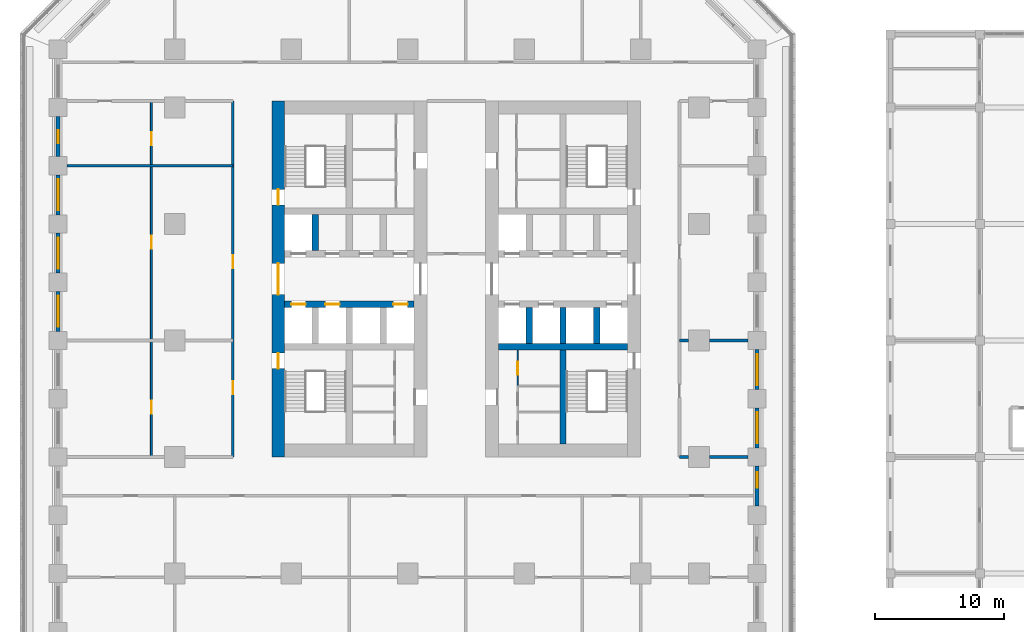
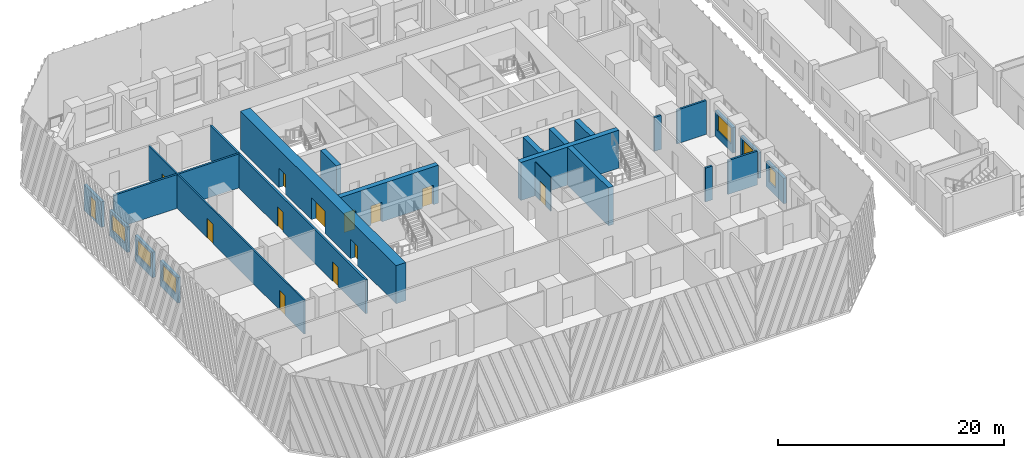
# One storey, part 13 of 31: 23 walls, 13 doors, 6 windows, 19 openings.
"""IFC4 building model written with IfcOpenShell, lengths in metres."""

from ifc_helpers import new_model, si_unit, direction, frame, frame_2d, origin, place, context, subcontext, project, spatial, rectangle, extrude, material, layer, layer_set, type_object, element, fill, save


model = new_model("IFC4")

# Units and contexts
model_context = context("Model", 3, precision=1e-05, world=origin(), true_north=direction((0.0, 1.0)))
body_context = subcontext(model_context, "Body", "Model", "MODEL_VIEW")
ifc_project = project(units=[si_unit("LENGTHUNIT", "METRE"), si_unit("AREAUNIT", "SQUARE_METRE"), si_unit("VOLUMEUNIT", "CUBIC_METRE"), si_unit("PLANEANGLEUNIT", "RADIAN"), si_unit("MASSUNIT", "GRAM", prefix="KILO")], contexts=[model_context])

# Site, building, storey
site_placement = place(None, origin())
site = spatial("IfcSite", under=ifc_project, at=site_placement, CompositionType="ELEMENT")
building_placement = place(site_placement, origin())
building = spatial("IfcBuilding", under=site, at=building_placement, Name="Corbel Stack Research Tower", CompositionType="ELEMENT")
storey_placement = place(building_placement, frame((0.0, 0.0, 15.39990234375)))
storey = spatial("IfcBuildingStorey", under=building, at=storey_placement, Name="L03", CompositionType="ELEMENT", Elevation=15.39990234375)

# Wall, openings, doors
ifc_material_1 = material(Name="Concrete C70/85", Category="concrete")
ifc_layer_1 = layer(ifc_material_1, 1.0)
ifc_layer_set_1 = layer_set([ifc_layer_1], Name="Concrete C70/85")
wall_type_1 = type_object("IfcWallType", Name="CW-1000-70", PredefinedType="SHEAR", material=ifc_layer_set_1)
wall_1_placement = place(storey_placement, frame((-10.0, -9.0, 0.0), z_axis=(0.0, 0.0, 1.0), x_axis=(0.0, 1.0, 0.0)))
wall_1 = element("IfcWall", 1, at=wall_1_placement, inside=storey, type_object=wall_type_1, Name="West core wall, west face L03", PredefinedType="SHEAR", context=body_context, shape_type="SweptSolid", body=[
    extrude(rectangle(XDim=27.5, YDim=1.0, at=frame_2d((13.75, 0.0))), origin(), (0.0, 0.0, 1.0), 4.10009765625),
])
opening_1_placement = place(wall_1_placement, frame((12.550048828125, 0.0, 0.0)))
opening_1 = element("IfcOpeningElement", 2, at=opening_1_placement, cuts=wall_1, Name="Opening CD-W-W", PredefinedType="OPENING", context=body_context, shape_type="SweptSolid", body=[
    extrude(rectangle(XDim=2.39990234375, YDim=2.39990234375, at=frame_2d((1.199951171875, 1.199951171875))), frame((0.0, 0.510009765625, 0.0), z_axis=(0.0, -1.0, 0.0), x_axis=(1.0, 0.0, 0.0)), (0.0, 0.0, 1.0), 1.02001953125),
])
opening_2_placement = place(wall_1_placement, frame((6.824951171875, 0.0, 0.0)))
opening_2 = element("IfcOpeningElement", 3, at=opening_2_placement, cuts=wall_1, Name="Opening SD-ST-W1", PredefinedType="OPENING", context=body_context, shape_type="SweptSolid", body=[
    extrude(rectangle(XDim=1.199951171875, YDim=2.10009765625, at=frame_2d((0.60009765625, 1.050048828125))), frame((0.0, 0.510009765625, 0.0), z_axis=(0.0, -1.0, 0.0), x_axis=(1.0, 0.0, 0.0)), (0.0, 0.0, 1.0), 1.02001953125),
])
opening_3_placement = place(wall_1_placement, frame((19.47509765625, 0.0, 0.0)))
opening_3 = element("IfcOpeningElement", 4, at=opening_3_placement, cuts=wall_1, Name="Opening SD-ST-W2", PredefinedType="OPENING", context=body_context, shape_type="SweptSolid", body=[
    extrude(rectangle(XDim=1.199951171875, YDim=2.10009765625, at=frame_2d((0.60009765625, 1.050048828125))), frame((0.0, 0.510009765625, 0.0), z_axis=(0.0, -1.0, 0.0), x_axis=(1.0, 0.0, 0.0)), (0.0, 0.0, 1.0), 1.02001953125),
])
ifc_material_2 = material(Name="Painted steel fire door", Category="steel")
door_type_1 = type_object("IfcDoorType", Name="Lobby door pair 2400 x 2400 FD30S", OperationType="DOUBLE_DOOR_DOUBLE_SWING", PredefinedType="DOOR", material=ifc_material_2)
door_1_placement = place(opening_1_placement, origin())
door_1 = element("IfcDoor", 5, at=door_1_placement, inside=storey, type_object=door_type_1, Name="Lift lobby door W core W", OperationType="DOUBLE_DOOR_DOUBLE_SWING", OverallHeight=2.39990234375, OverallWidth=2.39990234375, PredefinedType="DOOR", context=body_context, shape_type="SweptSolid", body=[
    extrude(rectangle(XDim=2.39990234375, YDim=2.39990234375, at=frame_2d((1.199951171875, 1.199951171875))), frame((0.0, 0.02490234375, 0.0), z_axis=(0.0, -1.0, 0.0), x_axis=(1.0, 0.0, 0.0)), (0.0, 0.0, 1.0), 0.050048828125),
])
fill(opening_1, door_1)
ifc_material_3 = material(Name="Painted steel fire door", Category="steel")
door_type_2 = type_object("IfcDoorType", Name="Stair door 1200 x 2100 FD90 left hand", OperationType="SINGLE_SWING_LEFT", PredefinedType="DOOR", material=ifc_material_3)
door_2_placement = place(opening_2_placement, origin())
door_2 = element("IfcDoor", 6, at=door_2_placement, inside=storey, type_object=door_type_2, Name="Stair door ST-W1", OperationType="SINGLE_SWING_LEFT", OverallHeight=2.10009765625, OverallWidth=1.199951171875, PredefinedType="DOOR", context=body_context, shape_type="SweptSolid", body=[
    extrude(rectangle(XDim=1.199951171875, YDim=2.10009765625, at=frame_2d((0.60009765625, 1.050048828125))), frame((0.0, 0.02490234375, 0.0), z_axis=(0.0, -1.0, 0.0), x_axis=(1.0, 0.0, 0.0)), (0.0, 0.0, 1.0), 0.050048828125),
])
fill(opening_2, door_2)
door_3_placement = place(opening_3_placement, origin())
door_3 = element("IfcDoor", 7, at=door_3_placement, inside=storey, type_object=door_type_2, Name="Stair door ST-W2", OperationType="SINGLE_SWING_LEFT", OverallHeight=2.10009765625, OverallWidth=1.199951171875, PredefinedType="DOOR", context=body_context, shape_type="SweptSolid", body=[
    extrude(rectangle(XDim=1.199951171875, YDim=2.10009765625, at=frame_2d((0.60009765625, 1.050048828125))), frame((0.0, 0.02490234375, 0.0), z_axis=(0.0, -1.0, 0.0), x_axis=(1.0, 0.0, 0.0)), (0.0, 0.0, 1.0), 0.050048828125),
])
fill(opening_3, door_3)

ifc_material_4 = material(Name="Concrete C70/85", Category="concrete")
ifc_layer_2 = layer(ifc_material_4, 0.5)
ifc_layer_set_2 = layer_set([ifc_layer_2], Name="Concrete C70/85")
wall_type_2 = type_object("IfcWallType", Name="CW-500-70", PredefinedType="SHEAR", material=ifc_layer_set_2)
wall_2_placement = place(storey_placement, frame((-9.5, 2.800048828125, 0.0), z_axis=(0.0, 0.0, 1.0), x_axis=(1.0, 0.0, 0.0)))
wall_2 = element("IfcWall", 8, at=wall_2_placement, inside=storey, type_object=wall_type_2, Name="West core wall, lobby south L03", PredefinedType="SHEAR", context=body_context, shape_type="SweptSolid", body=[
    extrude(rectangle(XDim=10.0, YDim=0.5, at=frame_2d((5.0, 0.0))), origin(), (0.0, 0.0, 1.0), 4.10009765625),
])
opening_4_placement = place(wall_2_placement, frame((0.512451171875, 0.0, 0.0)))
opening_4 = element("IfcOpeningElement", 9, at=opening_4_placement, cuts=wall_2, Name="Opening LD-FS1", PredefinedType="OPENING", context=body_context, shape_type="SweptSolid", body=[
    extrude(rectangle(XDim=1.10009765625, YDim=2.10009765625, at=frame_2d((0.550048828125, 1.050048828125))), frame((0.0, 0.260009765625, 0.0), z_axis=(0.0, -1.0, 0.0), x_axis=(1.0, 0.0, 0.0)), (0.0, 0.0, 1.0), 0.52001953125),
])
opening_5_placement = place(wall_2_placement, frame((3.137451171875, 0.0, 0.0)))
opening_5 = element("IfcOpeningElement", 10, at=opening_5_placement, cuts=wall_2, Name="Opening LD-GL1", PredefinedType="OPENING", context=body_context, shape_type="SweptSolid", body=[
    extrude(rectangle(XDim=1.10009765625, YDim=2.10009765625, at=frame_2d((0.550048828125, 1.050048828125))), frame((0.0, 0.260009765625, 0.0), z_axis=(0.0, -1.0, 0.0), x_axis=(1.0, 0.0, 0.0)), (0.0, 0.0, 1.0), 0.52001953125),
])
opening_6_placement = place(wall_2_placement, frame((8.387451171875, 0.0, 0.0)))
opening_6 = element("IfcOpeningElement", 11, at=opening_6_placement, cuts=wall_2, Name="Opening LD-LR1", PredefinedType="OPENING", context=body_context, shape_type="SweptSolid", body=[
    extrude(rectangle(XDim=1.10009765625, YDim=2.10009765625, at=frame_2d((0.550048828125, 1.050048828125))), frame((0.0, 0.260009765625, 0.0), z_axis=(0.0, -1.0, 0.0), x_axis=(1.0, 0.0, 0.0)), (0.0, 0.0, 1.0), 0.52001953125),
])
ifc_material_5 = material(Name="Stainless steel landing door", Category="steel")
door_type_3 = type_object("IfcDoorType", Name="Lift landing door 1100 x 2100", OperationType="DOUBLE_DOOR_SLIDING", PredefinedType="DOOR", material=ifc_material_5)
door_4_placement = place(opening_4_placement, origin())
door_4 = element("IfcDoor", 12, at=door_4_placement, inside=storey, type_object=door_type_3, Name="Landing door FS1", OperationType="DOUBLE_DOOR_SLIDING", OverallHeight=2.10009765625, OverallWidth=1.10009765625, PredefinedType="DOOR", context=body_context, shape_type="SweptSolid", body=[
    extrude(rectangle(XDim=1.10009765625, YDim=2.10009765625, at=frame_2d((0.550048828125, 1.050048828125))), frame((0.0, 0.02490234375, 0.0), z_axis=(0.0, -1.0, 0.0), x_axis=(1.0, 0.0, 0.0)), (0.0, 0.0, 1.0), 0.050048828125),
])
fill(opening_4, door_4)
door_5_placement = place(opening_5_placement, origin())
door_5 = element("IfcDoor", 13, at=door_5_placement, inside=storey, type_object=door_type_3, Name="Landing door GL1", OperationType="DOUBLE_DOOR_SLIDING", OverallHeight=2.10009765625, OverallWidth=1.10009765625, PredefinedType="DOOR", context=body_context, shape_type="SweptSolid", body=[
    extrude(rectangle(XDim=1.10009765625, YDim=2.10009765625, at=frame_2d((0.550048828125, 1.050048828125))), frame((0.0, 0.02490234375, 0.0), z_axis=(0.0, -1.0, 0.0), x_axis=(1.0, 0.0, 0.0)), (0.0, 0.0, 1.0), 0.050048828125),
])
fill(opening_5, door_5)
door_6_placement = place(opening_6_placement, origin())
door_6 = element("IfcDoor", 14, at=door_6_placement, inside=storey, type_object=door_type_3, Name="Landing door LR1", OperationType="DOUBLE_DOOR_SLIDING", OverallHeight=2.10009765625, OverallWidth=1.10009765625, PredefinedType="DOOR", context=body_context, shape_type="SweptSolid", body=[
    extrude(rectangle(XDim=1.10009765625, YDim=2.10009765625, at=frame_2d((0.550048828125, 1.050048828125))), frame((0.0, 0.02490234375, 0.0), z_axis=(0.0, -1.0, 0.0), x_axis=(1.0, 0.0, 0.0)), (0.0, 0.0, 1.0), 0.050048828125),
])
fill(opening_6, door_6)

# Walls
wall_3_placement = place(storey_placement, frame((-7.125, 6.949951171875, 0.0), z_axis=(0.0, 0.0, 1.0), x_axis=(0.0, 1.0, 0.0)))
element("IfcWall", 15, at=wall_3_placement, inside=storey, type_object=wall_type_2, Name="West core wall, north shaft 1 L03", PredefinedType="SHEAR", context=body_context, shape_type="SweptSolid", body=[
    extrude(rectangle(XDim=2.800048828125, YDim=0.5, at=frame_2d((1.39990234375, 0.0))), origin(), (0.0, 0.0, 1.0), 4.10009765625),
])
wall_4_placement = place(storey_placement, frame((7.0, -0.5, 0.0), z_axis=(0.0, 0.0, 1.0), x_axis=(1.0, 0.0, 0.0)))
element("IfcWall", 16, at=wall_4_placement, inside=storey, type_object=wall_type_2, Name="East core wall, south row back L03", PredefinedType="SHEAR", context=body_context, shape_type="SweptSolid", body=[
    extrude(rectangle(XDim=10.0, YDim=0.5, at=frame_2d((5.0, 0.0))), origin(), (0.0, 0.0, 1.0), 4.10009765625),
])
for number, where, z_axis, x_axis, name in (
    (17, (9.375, -0.25, 0.0), (0.0, 0.0, 1.0), (0.0, 1.0, 0.0), "East core wall, south shaft 1 L03"),
    (18, (12.0, -0.25, 0.0), (0.0, 0.0, 1.0), (0.0, 1.0, 0.0), "East core wall, south shaft 2 L03"),
    (19, (14.625, -0.25, 0.0), (0.0, 0.0, 1.0), (0.0, 1.0, 0.0), "East core wall, south shaft 3 L03"),
):
    element("IfcWall", number, at=place(storey_placement, frame(where, z_axis=z_axis, x_axis=x_axis)), inside=storey, type_object=wall_type_2, Name=name, PredefinedType="SHEAR", context=body_context, shape_type="SweptSolid", body=[
        extrude(rectangle(XDim=2.800048828125, YDim=0.5, at=frame_2d((1.39990234375, 0.0))), origin(), (0.0, 0.0, 1.0), 4.10009765625),
    ])
wall_5_placement = place(storey_placement, frame((12.0, -8.0, 0.0), z_axis=(0.0, 0.0, 1.0), x_axis=(0.0, 1.0, 0.0)))
element("IfcWall", 20, at=wall_5_placement, inside=storey, type_object=wall_type_2, Name="East core wall, south stair and WC L03", PredefinedType="SHEAR", context=body_context, shape_type="SweptSolid", body=[
    extrude(rectangle(XDim=7.25, YDim=0.5, at=frame_2d((3.625, 0.0))), origin(), (0.0, 0.0, 1.0), 4.10009765625),
])

# Wall, opening, door
ifc_material_6 = material(Name="Gypsum board")
ifc_layer_3 = layer(ifc_material_6, 0.10009765625)
ifc_layer_set_3 = layer_set([ifc_layer_3], Name="Gypsum board")
wall_type_3 = type_object("IfcWallType", Name="Core partition 100", PredefinedType="PARTITIONING", material=ifc_layer_set_3)
wall_6_placement = place(storey_placement, frame((8.5, -3.5048828125, 0.0), z_axis=(0.0, 0.0, 1.0), x_axis=(0.0, 1.0, 0.0)))
wall_6 = element("IfcWall", 21, at=wall_6_placement, inside=storey, type_object=wall_type_3, Name="Core partition E", PredefinedType="PARTITIONING", context=body_context, shape_type="SweptSolid", body=[
    extrude(rectangle(XDim=2.7548828125, YDim=0.10009765625, at=frame_2d((1.37744140625, 0.0))), origin(), (0.0, 0.0, 1.0), 3.650146484375),
])
opening_7_placement = place(wall_6_placement, frame((0.87744140625, 0.0, 0.0)))
opening_7 = element("IfcOpeningElement", 22, at=opening_7_placement, cuts=wall_6, Name="Opening CR-E12-W4-1000", PredefinedType="OPENING", context=body_context, shape_type="SweptSolid", body=[
    extrude(rectangle(XDim=1.0, YDim=2.10009765625, at=frame_2d((0.5, 1.050048828125))), frame((0.0, 0.06005859375, 0.0), z_axis=(0.0, -1.0, 0.0), x_axis=(1.0, 0.0, 0.0)), (0.0, 0.0, 1.0), 0.1201171875),
])
ifc_material_7 = material(Name="Painted timber door", Category="wood")
door_type_4 = type_object("IfcDoorType", Name="WC door 1000 x 2100 left hand", OperationType="SINGLE_SWING_LEFT", PredefinedType="DOOR", material=ifc_material_7)
door_7_placement = place(opening_7_placement, origin())
door_7 = element("IfcDoor", 23, at=door_7_placement, inside=storey, type_object=door_type_4, Name="Women's WC door E core", OperationType="SINGLE_SWING_LEFT", OverallHeight=2.10009765625, OverallWidth=1.0, PredefinedType="DOOR", context=body_context, shape_type="SweptSolid", body=[
    extrude(rectangle(XDim=1.0, YDim=2.10009765625, at=frame_2d((0.5, 1.050048828125))), frame((0.0, 0.02490234375, 0.0), z_axis=(0.0, -1.0, 0.0), x_axis=(1.0, 0.0, 0.0)), (0.0, 0.0, 1.0), 0.050048828125),
])
fill(opening_7, door_7)

# Wall, openings, doors
ifc_material_8 = material(Name="Fire-rated gypsum board partition on steel studs", Category="steel")
ifc_layer_4 = layer(ifc_material_8, 0.199951171875)
ifc_layer_set_4 = layer_set([ifc_layer_4], Name="Fire-rated gypsum board partition on steel studs")
wall_type_4 = type_object("IfcWallType", Name="Fire-rated partition 200 EI 60", PredefinedType="PARTITIONING", material=ifc_layer_set_4)
wall_7_placement = place(storey_placement, frame((-13.5, -9.0, 0.0), z_axis=(0.0, 0.0, 1.0), x_axis=(0.0, 1.0, 0.0)))
wall_7 = element("IfcWall", 24, at=wall_7_placement, inside=storey, type_object=wall_type_4, Name="Partition L03-005", PredefinedType="PARTITIONING", context=body_context, shape_type="SweptSolid", body=[
    extrude(rectangle(XDim=27.5, YDim=0.199951171875, at=frame_2d((13.75, 0.0))), origin(), (0.0, 0.0, 1.0), 3.650146484375),
])
opening_8_placement = place(wall_7_placement, frame((4.85009765625, 0.0, 0.0)))
opening_8 = element("IfcOpeningElement", 25, at=opening_8_placement, cuts=wall_7, Name="Opening B1V0-010", PredefinedType="OPENING", context=body_context, shape_type="SweptSolid", body=[
    extrude(rectangle(XDim=1.0, YDim=2.10009765625, at=frame_2d((0.5, 1.050048828125))), frame((0.0, 0.10986328125, 0.0), z_axis=(0.0, -1.0, 0.0), x_axis=(1.0, 0.0, 0.0)), (0.0, 0.0, 1.0), 0.219970703125),
])
opening_9_placement = place(wall_7_placement, frame((14.60009765625, 0.0, 0.0)))
opening_9 = element("IfcOpeningElement", 26, at=opening_9_placement, cuts=wall_7, Name="Opening B1V0-011", PredefinedType="OPENING", context=body_context, shape_type="SweptSolid", body=[
    extrude(rectangle(XDim=1.0, YDim=2.10009765625, at=frame_2d((0.5, 1.050048828125))), frame((0.0, 0.10986328125, 0.0), z_axis=(0.0, -1.0, 0.0), x_axis=(1.0, 0.0, 0.0)), (0.0, 0.0, 1.0), 0.219970703125),
])
ifc_material_9 = material(Name="Painted steel fire door", Category="steel")
door_type_5 = type_object("IfcDoorType", Name="Fire door FD30S 1000 x 2100", OperationType="NOTDEFINED", PredefinedType="DOOR", material=ifc_material_9)
door_8_placement = place(opening_8_placement, origin())
door_8 = element("IfcDoor", 27, at=door_8_placement, inside=storey, type_object=door_type_5, Name="Door B1V0-010", OperationType="SINGLE_SWING_LEFT", OverallHeight=2.10009765625, OverallWidth=1.0, PredefinedType="DOOR", context=body_context, shape_type="SweptSolid", body=[
    extrude(rectangle(XDim=1.0, YDim=2.10009765625, at=frame_2d((0.5, 1.050048828125))), frame((0.0, 0.02490234375, 0.0), z_axis=(0.0, -1.0, 0.0), x_axis=(1.0, 0.0, 0.0)), (0.0, 0.0, 1.0), 0.050048828125),
])
fill(opening_8, door_8)
door_9_placement = place(opening_9_placement, origin())
door_9 = element("IfcDoor", 28, at=door_9_placement, inside=storey, type_object=door_type_5, Name="Door B1V0-011", OperationType="SINGLE_SWING_RIGHT", OverallHeight=2.10009765625, OverallWidth=1.0, PredefinedType="DOOR", context=body_context, shape_type="SweptSolid", body=[
    extrude(rectangle(XDim=1.0, YDim=2.10009765625, at=frame_2d((0.5, 1.050048828125))), frame((0.0, 0.02490234375, 0.0), z_axis=(0.0, -1.0, 0.0), x_axis=(1.0, 0.0, 0.0)), (0.0, 0.0, 1.0), 0.050048828125),
])
fill(opening_9, door_9)

# Walls
wall_8_placement = place(storey_placement, frame((21.0, -9.0, 0.0), z_axis=(0.0, 0.0, 1.0), x_axis=(1.0, 0.0, 0.0)))
element("IfcWall", 29, at=wall_8_placement, inside=storey, type_object=wall_type_4, Name="Partition L03-026", PredefinedType="PARTITIONING", context=body_context, shape_type="SweptSolid", body=[
    extrude(rectangle(XDim=0.699951171875, YDim=0.199951171875, at=frame_2d((0.35009765625, 0.0))), origin(), (0.0, 0.0, 1.0), 3.650146484375),
])
wall_9_placement = place(storey_placement, frame((23.300048828125, -9.0, 0.0), z_axis=(0.0, 0.0, 1.0), x_axis=(1.0, 0.0, 0.0)))
element("IfcWall", 30, at=wall_9_placement, inside=storey, type_object=wall_type_4, Name="Partition L03-027", PredefinedType="PARTITIONING", context=body_context, shape_type="SweptSolid", body=[
    extrude(rectangle(XDim=3.0, YDim=0.199951171875, at=frame_2d((1.5, 0.0))), origin(), (0.0, 0.0, 1.0), 3.650146484375),
])
wall_10_placement = place(storey_placement, frame((21.0, 0.0, 0.0), z_axis=(0.0, 0.0, 1.0), x_axis=(1.0, 0.0, 0.0)))
element("IfcWall", 31, at=wall_10_placement, inside=storey, type_object=wall_type_4, Name="Partition L03-030", PredefinedType="PARTITIONING", context=body_context, shape_type="SweptSolid", body=[
    extrude(rectangle(XDim=0.699951171875, YDim=0.199951171875, at=frame_2d((0.35009765625, 0.0))), origin(), (0.0, 0.0, 1.0), 3.650146484375),
])
wall_11_placement = place(storey_placement, frame((23.300048828125, 0.0, 0.0), z_axis=(0.0, 0.0, 1.0), x_axis=(1.0, 0.0, 0.0)))
element("IfcWall", 32, at=wall_11_placement, inside=storey, type_object=wall_type_4, Name="Partition L03-031", PredefinedType="PARTITIONING", context=body_context, shape_type="SweptSolid", body=[
    extrude(rectangle(XDim=3.0, YDim=0.199951171875, at=frame_2d((1.5, 0.0))), origin(), (0.0, 0.0, 1.0), 3.650146484375),
])
wall_12_placement = place(storey_placement, frame((-26.300048828125, 13.5, 0.0), z_axis=(0.0, 0.0, 1.0), x_axis=(1.0, 0.0, 0.0)))
element("IfcWall", 33, at=wall_12_placement, inside=storey, type_object=wall_type_4, Name="Partition L03-033", PredefinedType="PARTITIONING", context=body_context, shape_type="SweptSolid", body=[
    extrude(rectangle(XDim=12.800048828125, YDim=0.199951171875, at=frame_2d((6.39990234375, 0.0))), origin(), (0.0, 0.0, 1.0), 3.650146484375),
])

# Wall, openings, doors
ifc_material_10 = material(Name="Gypsum board partition on steel studs", Category="steel")
ifc_layer_5 = layer(ifc_material_10, 0.14990234375)
ifc_layer_set_5 = layer_set([ifc_layer_5], Name="Gypsum board partition on steel studs")
wall_type_5 = type_object("IfcWallType", Name="Partition 150", PredefinedType="PARTITIONING", material=ifc_layer_set_5)
wall_13_placement = place(storey_placement, frame((-19.800048828125, -9.0, 0.0), z_axis=(0.0, 0.0, 1.0), x_axis=(0.0, 1.0, 0.0)))
wall_13 = element("IfcWall", 34, at=wall_13_placement, inside=storey, type_object=wall_type_5, Name="Partition L03-001", PredefinedType="PARTITIONING", context=body_context, shape_type="SweptSolid", body=[
    extrude(rectangle(XDim=27.5, YDim=0.14990234375, at=frame_2d((13.75, 0.0))), origin(), (0.0, 0.0, 1.0), 3.650146484375),
])
opening_10_placement = place(wall_13_placement, frame((3.35009765625, 0.0, 0.0)))
opening_10 = element("IfcOpeningElement", 35, at=opening_10_placement, cuts=wall_13, Name="Opening B1V0-001", PredefinedType="OPENING", context=body_context, shape_type="SweptSolid", body=[
    extrude(rectangle(XDim=1.0, YDim=2.10009765625, at=frame_2d((0.5, 1.050048828125))), frame((0.0, 0.0849609375, 0.0), z_axis=(0.0, -1.0, 0.0), x_axis=(1.0, 0.0, 0.0)), (0.0, 0.0, 1.0), 0.169921875),
])
opening_11_placement = place(wall_13_placement, frame((16.10009765625, 0.0, 0.0)))
opening_11 = element("IfcOpeningElement", 36, at=opening_11_placement, cuts=wall_13, Name="Opening B1V0-002", PredefinedType="OPENING", context=body_context, shape_type="SweptSolid", body=[
    extrude(rectangle(XDim=1.0, YDim=2.10009765625, at=frame_2d((0.5, 1.050048828125))), frame((0.0, 0.0849609375, 0.0), z_axis=(0.0, -1.0, 0.0), x_axis=(1.0, 0.0, 0.0)), (0.0, 0.0, 1.0), 0.169921875),
])
opening_12_placement = place(wall_13_placement, frame((24.10009765625, 0.0, 0.0)))
opening_12 = element("IfcOpeningElement", 37, at=opening_12_placement, cuts=wall_13, Name="Opening B1V0-003", PredefinedType="OPENING", context=body_context, shape_type="SweptSolid", body=[
    extrude(rectangle(XDim=1.0, YDim=2.10009765625, at=frame_2d((0.5, 1.050048828125))), frame((0.0, 0.0849609375, 0.0), z_axis=(0.0, -1.0, 0.0), x_axis=(1.0, 0.0, 0.0)), (0.0, 0.0, 1.0), 0.169921875),
])
ifc_material_11 = material(Name="Painted timber door", Category="wood")
door_type_6 = type_object("IfcDoorType", Name="Single door 1000 x 2100", OperationType="NOTDEFINED", PredefinedType="DOOR", material=ifc_material_11)
door_10_placement = place(opening_10_placement, origin())
door_10 = element("IfcDoor", 38, at=door_10_placement, inside=storey, type_object=door_type_6, Name="Door B1V0-001", OperationType="SINGLE_SWING_LEFT", OverallHeight=2.10009765625, OverallWidth=1.0, PredefinedType="DOOR", context=body_context, shape_type="SweptSolid", body=[
    extrude(rectangle(XDim=1.0, YDim=2.10009765625, at=frame_2d((0.5, 1.050048828125))), frame((0.0, 0.02490234375, 0.0), z_axis=(0.0, -1.0, 0.0), x_axis=(1.0, 0.0, 0.0)), (0.0, 0.0, 1.0), 0.050048828125),
])
fill(opening_10, door_10)
door_11_placement = place(opening_11_placement, origin())
door_11 = element("IfcDoor", 39, at=door_11_placement, inside=storey, type_object=door_type_6, Name="Door B1V0-002", OperationType="SINGLE_SWING_RIGHT", OverallHeight=2.10009765625, OverallWidth=1.0, PredefinedType="DOOR", context=body_context, shape_type="SweptSolid", body=[
    extrude(rectangle(XDim=1.0, YDim=2.10009765625, at=frame_2d((0.5, 1.050048828125))), frame((0.0, 0.02490234375, 0.0), z_axis=(0.0, -1.0, 0.0), x_axis=(1.0, 0.0, 0.0)), (0.0, 0.0, 1.0), 0.050048828125),
])
fill(opening_11, door_11)
door_12_placement = place(opening_12_placement, origin())
door_12 = element("IfcDoor", 40, at=door_12_placement, inside=storey, type_object=door_type_6, Name="Door B1V0-003", OperationType="SINGLE_SWING_RIGHT", OverallHeight=2.10009765625, OverallWidth=1.0, PredefinedType="DOOR", context=body_context, shape_type="SweptSolid", body=[
    extrude(rectangle(XDim=1.0, YDim=2.10009765625, at=frame_2d((0.5, 1.050048828125))), frame((0.0, 0.02490234375, 0.0), z_axis=(0.0, -1.0, 0.0), x_axis=(1.0, 0.0, 0.0)), (0.0, 0.0, 1.0), 0.050048828125),
])
fill(opening_12, door_12)

# Wall, opening, window
ifc_material_12 = material(Name="Concrete C45/55", Category="concrete")
ifc_layer_6 = layer(ifc_material_12, 0.300048828125)
ifc_layer_set_6 = layer_set([ifc_layer_6], Name="Concrete C45/55")
wall_type_6 = type_object("IfcWallType", Name="Terracotta-faced concrete wall 300", PredefinedType="SOLIDWALL", material=ifc_layer_set_6)
wall_14_placement = place(storey_placement, frame((27.0, -9.699951171875, 0.0), z_axis=(0.0, 0.0, 1.0), x_axis=(0.0, -1.0, 0.0)))
wall_14 = element("IfcWall", 41, at=wall_14_placement, inside=storey, type_object=wall_type_6, Name="Facade wall L03 E03", PredefinedType="SOLIDWALL", context=body_context, shape_type="SweptSolid", body=[
    extrude(rectangle(XDim=3.10009765625, YDim=0.300048828125, at=frame_2d((1.550048828125, 0.0))), origin(), (0.0, 0.0, 1.0), 2.75),
])
opening_13_placement = place(wall_14_placement, frame((0.47509765625, 0.0, 0.800048828125)))
opening_13 = element("IfcOpeningElement", 42, at=opening_13_placement, cuts=wall_14, Name="Opening W2", PredefinedType="OPENING", context=body_context, shape_type="SweptSolid", body=[
    extrude(rectangle(XDim=1.199951171875, YDim=1.699951171875, at=frame_2d((0.60009765625, 0.85009765625))), frame((0.0, 0.159912109375, 0.0), z_axis=(0.0, -1.0, 0.0), x_axis=(1.0, 0.0, 0.0)), (0.0, 0.0, 1.0), 0.320068359375),
])
ifc_material_13 = material(Name="Aluminium frame, clear double glazing", Category="aluminium")
window_type_1 = type_object("IfcWindowType", Name="Window W2 1200 x 1700", PartitioningType="SINGLE_PANEL", PredefinedType="WINDOW", material=ifc_material_13)
window_1_placement = place(opening_13_placement, origin())
window_1 = element("IfcWindow", 43, at=window_1_placement, inside=storey, type_object=window_type_1, Name="Window W2 L03 E03", OverallHeight=1.699951171875, OverallWidth=1.199951171875, PartitioningType="SINGLE_PANEL", PredefinedType="WINDOW", context=body_context, shape_type="SweptSolid", body=[
    extrude(rectangle(XDim=1.199951171875, YDim=1.699951171875, at=frame_2d((0.60009765625, 0.85009765625))), frame((0.0, 0.030029296875, 0.0), z_axis=(0.0, -1.0, 0.0), x_axis=(1.0, 0.0, 0.0)), (0.0, 0.0, 1.0), 0.06005859375),
])
fill(opening_13, window_1)

wall_15_placement = place(storey_placement, frame((27.0, -5.199951171875, 0.0), z_axis=(0.0, 0.0, 1.0), x_axis=(0.0, -1.0, 0.0)))
wall_15 = element("IfcWall", 44, at=wall_15_placement, inside=storey, type_object=wall_type_6, Name="Facade wall L03 E04", PredefinedType="SOLIDWALL", context=body_context, shape_type="SweptSolid", body=[
    extrude(rectangle(XDim=3.10009765625, YDim=0.300048828125, at=frame_2d((1.550048828125, 0.0))), origin(), (0.0, 0.0, 1.0), 2.75),
])
opening_14_placement = place(wall_15_placement, frame((0.35009765625, 0.0, 0.800048828125)))
opening_14 = element("IfcOpeningElement", 45, at=opening_14_placement, cuts=wall_15, Name="Opening W1", PredefinedType="OPENING", context=body_context, shape_type="SweptSolid", body=[
    extrude(rectangle(XDim=2.39990234375, YDim=1.699951171875, at=frame_2d((1.199951171875, 0.85009765625))), frame((0.0, 0.159912109375, 0.0), z_axis=(0.0, -1.0, 0.0), x_axis=(1.0, 0.0, 0.0)), (0.0, 0.0, 1.0), 0.320068359375),
])
ifc_material_14 = material(Name="Aluminium frame, clear double glazing", Category="aluminium")
window_type_2 = type_object("IfcWindowType", Name="Window W1 2400 x 1700", PartitioningType="SINGLE_PANEL", PredefinedType="WINDOW", material=ifc_material_14)
window_2_placement = place(opening_14_placement, origin())
window_2 = element("IfcWindow", 46, at=window_2_placement, inside=storey, type_object=window_type_2, Name="Window W1 L03 E04", OverallHeight=1.699951171875, OverallWidth=2.39990234375, PartitioningType="SINGLE_PANEL", PredefinedType="WINDOW", context=body_context, shape_type="SweptSolid", body=[
    extrude(rectangle(XDim=2.39990234375, YDim=1.699951171875, at=frame_2d((1.199951171875, 0.85009765625))), frame((0.0, 0.030029296875, 0.0), z_axis=(0.0, -1.0, 0.0), x_axis=(1.0, 0.0, 0.0)), (0.0, 0.0, 1.0), 0.06005859375),
])
fill(opening_14, window_2)

wall_16_placement = place(storey_placement, frame((27.0, -0.699951171875, 0.0), z_axis=(0.0, 0.0, 1.0), x_axis=(0.0, -1.0, 0.0)))
wall_16 = element("IfcWall", 47, at=wall_16_placement, inside=storey, type_object=wall_type_6, Name="Facade wall L03 E05", PredefinedType="SOLIDWALL", context=body_context, shape_type="SweptSolid", body=[
    extrude(rectangle(XDim=3.10009765625, YDim=0.300048828125, at=frame_2d((1.550048828125, 0.0))), origin(), (0.0, 0.0, 1.0), 2.75),
])
opening_15_placement = place(wall_16_placement, frame((0.35009765625, 0.0, 0.800048828125)))
opening_15 = element("IfcOpeningElement", 48, at=opening_15_placement, cuts=wall_16, Name="Opening W1", PredefinedType="OPENING", context=body_context, shape_type="SweptSolid", body=[
    extrude(rectangle(XDim=2.39990234375, YDim=1.699951171875, at=frame_2d((1.199951171875, 0.85009765625))), frame((0.0, 0.159912109375, 0.0), z_axis=(0.0, -1.0, 0.0), x_axis=(1.0, 0.0, 0.0)), (0.0, 0.0, 1.0), 0.320068359375),
])
window_3_placement = place(opening_15_placement, origin())
window_3 = element("IfcWindow", 49, at=window_3_placement, inside=storey, type_object=window_type_2, Name="Window W1 L03 E05", OverallHeight=1.699951171875, OverallWidth=2.39990234375, PartitioningType="SINGLE_PANEL", PredefinedType="WINDOW", context=body_context, shape_type="SweptSolid", body=[
    extrude(rectangle(XDim=2.39990234375, YDim=1.699951171875, at=frame_2d((1.199951171875, 0.85009765625))), frame((0.0, 0.030029296875, 0.0), z_axis=(0.0, -1.0, 0.0), x_axis=(1.0, 0.0, 0.0)), (0.0, 0.0, 1.0), 0.06005859375),
])
fill(opening_15, window_3)

# Wall, opening, door
wall_17_placement = place(storey_placement, frame((-27.0, 14.199951171875, 0.0), z_axis=(0.0, 0.0, 1.0), x_axis=(0.0, 1.0, 0.0)))
wall_17 = element("IfcWall", 50, at=wall_17_placement, inside=storey, type_object=wall_type_6, Name="Facade wall L03 W02", PredefinedType="SOLIDWALL", context=body_context, shape_type="SweptSolid", body=[
    extrude(rectangle(XDim=3.10009765625, YDim=0.300048828125, at=frame_2d((1.550048828125, 0.0))), origin(), (0.0, 0.0, 1.0), 2.75),
])
opening_16_placement = place(wall_17_placement, frame((1.050048828125, 0.0, 0.0)))
opening_16 = element("IfcOpeningElement", 51, at=opening_16_placement, cuts=wall_17, Name="Opening L03-B10", PredefinedType="OPENING", context=body_context, shape_type="SweptSolid", body=[
    extrude(rectangle(XDim=1.0, YDim=2.199951171875, at=frame_2d((0.5, 1.10009765625))), frame((0.0, 0.159912109375, 0.0), z_axis=(0.0, -1.0, 0.0), x_axis=(1.0, 0.0, 0.0)), (0.0, 0.0, 1.0), 0.320068359375),
])
ifc_material_15 = material(Name="Aluminium frame, clear double glazing", Category="aluminium")
door_type_7 = type_object("IfcDoorType", Name="Balcony door BD1 1000 x 2200", OperationType="NOTDEFINED", PredefinedType="DOOR", material=ifc_material_15)
door_13_placement = place(opening_16_placement, origin())
door_13 = element("IfcDoor", 52, at=door_13_placement, inside=storey, type_object=door_type_7, Name="Balcony door L03-B10", OperationType="SINGLE_SWING_LEFT", OverallHeight=2.199951171875, OverallWidth=1.0, PredefinedType="DOOR", context=body_context, shape_type="SweptSolid", body=[
    extrude(rectangle(XDim=1.0, YDim=2.199951171875, at=frame_2d((0.5, 1.10009765625))), frame((0.0, 0.02490234375, 0.0), z_axis=(0.0, -1.0, 0.0), x_axis=(1.0, 0.0, 0.0)), (0.0, 0.0, 1.0), 0.050048828125),
])
fill(opening_16, door_13)

# Wall, opening, window
wall_18_placement = place(storey_placement, frame((-27.0, 9.699951171875, 0.0), z_axis=(0.0, 0.0, 1.0), x_axis=(0.0, 1.0, 0.0)))
wall_18 = element("IfcWall", 53, at=wall_18_placement, inside=storey, type_object=wall_type_6, Name="Facade wall L03 W03", PredefinedType="SOLIDWALL", context=body_context, shape_type="SweptSolid", body=[
    extrude(rectangle(XDim=3.10009765625, YDim=0.300048828125, at=frame_2d((1.550048828125, 0.0))), origin(), (0.0, 0.0, 1.0), 2.75),
])
opening_17_placement = place(wall_18_placement, frame((0.35009765625, 0.0, 0.800048828125)))
opening_17 = element("IfcOpeningElement", 54, at=opening_17_placement, cuts=wall_18, Name="Opening W1", PredefinedType="OPENING", context=body_context, shape_type="SweptSolid", body=[
    extrude(rectangle(XDim=2.39990234375, YDim=1.699951171875, at=frame_2d((1.199951171875, 0.85009765625))), frame((0.0, 0.159912109375, 0.0), z_axis=(0.0, -1.0, 0.0), x_axis=(1.0, 0.0, 0.0)), (0.0, 0.0, 1.0), 0.320068359375),
])
window_4_placement = place(opening_17_placement, origin())
window_4 = element("IfcWindow", 55, at=window_4_placement, inside=storey, type_object=window_type_2, Name="Window W1 L03 W03", OverallHeight=1.699951171875, OverallWidth=2.39990234375, PartitioningType="SINGLE_PANEL", PredefinedType="WINDOW", context=body_context, shape_type="SweptSolid", body=[
    extrude(rectangle(XDim=2.39990234375, YDim=1.699951171875, at=frame_2d((1.199951171875, 0.85009765625))), frame((0.0, 0.030029296875, 0.0), z_axis=(0.0, -1.0, 0.0), x_axis=(1.0, 0.0, 0.0)), (0.0, 0.0, 1.0), 0.06005859375),
])
fill(opening_17, window_4)

wall_19_placement = place(storey_placement, frame((-27.0, 5.199951171875, 0.0), z_axis=(0.0, 0.0, 1.0), x_axis=(0.0, 1.0, 0.0)))
wall_19 = element("IfcWall", 56, at=wall_19_placement, inside=storey, type_object=wall_type_6, Name="Facade wall L03 W04", PredefinedType="SOLIDWALL", context=body_context, shape_type="SweptSolid", body=[
    extrude(rectangle(XDim=3.10009765625, YDim=0.300048828125, at=frame_2d((1.550048828125, 0.0))), origin(), (0.0, 0.0, 1.0), 2.75),
])
opening_18_placement = place(wall_19_placement, frame((0.35009765625, 0.0, 0.800048828125)))
opening_18 = element("IfcOpeningElement", 57, at=opening_18_placement, cuts=wall_19, Name="Opening W1", PredefinedType="OPENING", context=body_context, shape_type="SweptSolid", body=[
    extrude(rectangle(XDim=2.39990234375, YDim=1.699951171875, at=frame_2d((1.199951171875, 0.85009765625))), frame((0.0, 0.159912109375, 0.0), z_axis=(0.0, -1.0, 0.0), x_axis=(1.0, 0.0, 0.0)), (0.0, 0.0, 1.0), 0.320068359375),
])
window_5_placement = place(opening_18_placement, origin())
window_5 = element("IfcWindow", 58, at=window_5_placement, inside=storey, type_object=window_type_2, Name="Window W1 L03 W04", OverallHeight=1.699951171875, OverallWidth=2.39990234375, PartitioningType="SINGLE_PANEL", PredefinedType="WINDOW", context=body_context, shape_type="SweptSolid", body=[
    extrude(rectangle(XDim=2.39990234375, YDim=1.699951171875, at=frame_2d((1.199951171875, 0.85009765625))), frame((0.0, 0.030029296875, 0.0), z_axis=(0.0, -1.0, 0.0), x_axis=(1.0, 0.0, 0.0)), (0.0, 0.0, 1.0), 0.06005859375),
])
fill(opening_18, window_5)

wall_20_placement = place(storey_placement, frame((-27.0, 0.699951171875, 0.0), z_axis=(0.0, 0.0, 1.0), x_axis=(0.0, 1.0, 0.0)))
wall_20 = element("IfcWall", 59, at=wall_20_placement, inside=storey, type_object=wall_type_6, Name="Facade wall L03 W05", PredefinedType="SOLIDWALL", context=body_context, shape_type="SweptSolid", body=[
    extrude(rectangle(XDim=3.10009765625, YDim=0.300048828125, at=frame_2d((1.550048828125, 0.0))), origin(), (0.0, 0.0, 1.0), 2.75),
])
opening_19_placement = place(wall_20_placement, frame((0.35009765625, 0.0, 0.800048828125)))
opening_19 = element("IfcOpeningElement", 60, at=opening_19_placement, cuts=wall_20, Name="Opening W1", PredefinedType="OPENING", context=body_context, shape_type="SweptSolid", body=[
    extrude(rectangle(XDim=2.39990234375, YDim=1.699951171875, at=frame_2d((1.199951171875, 0.85009765625))), frame((0.0, 0.159912109375, 0.0), z_axis=(0.0, -1.0, 0.0), x_axis=(1.0, 0.0, 0.0)), (0.0, 0.0, 1.0), 0.320068359375),
])
window_6_placement = place(opening_19_placement, origin())
window_6 = element("IfcWindow", 61, at=window_6_placement, inside=storey, type_object=window_type_2, Name="Window W1 L03 W05", OverallHeight=1.699951171875, OverallWidth=2.39990234375, PartitioningType="SINGLE_PANEL", PredefinedType="WINDOW", context=body_context, shape_type="SweptSolid", body=[
    extrude(rectangle(XDim=2.39990234375, YDim=1.699951171875, at=frame_2d((1.199951171875, 0.85009765625))), frame((0.0, 0.030029296875, 0.0), z_axis=(0.0, -1.0, 0.0), x_axis=(1.0, 0.0, 0.0)), (0.0, 0.0, 1.0), 0.06005859375),
])
fill(opening_19, window_6)

save(model, "model.ifc")
